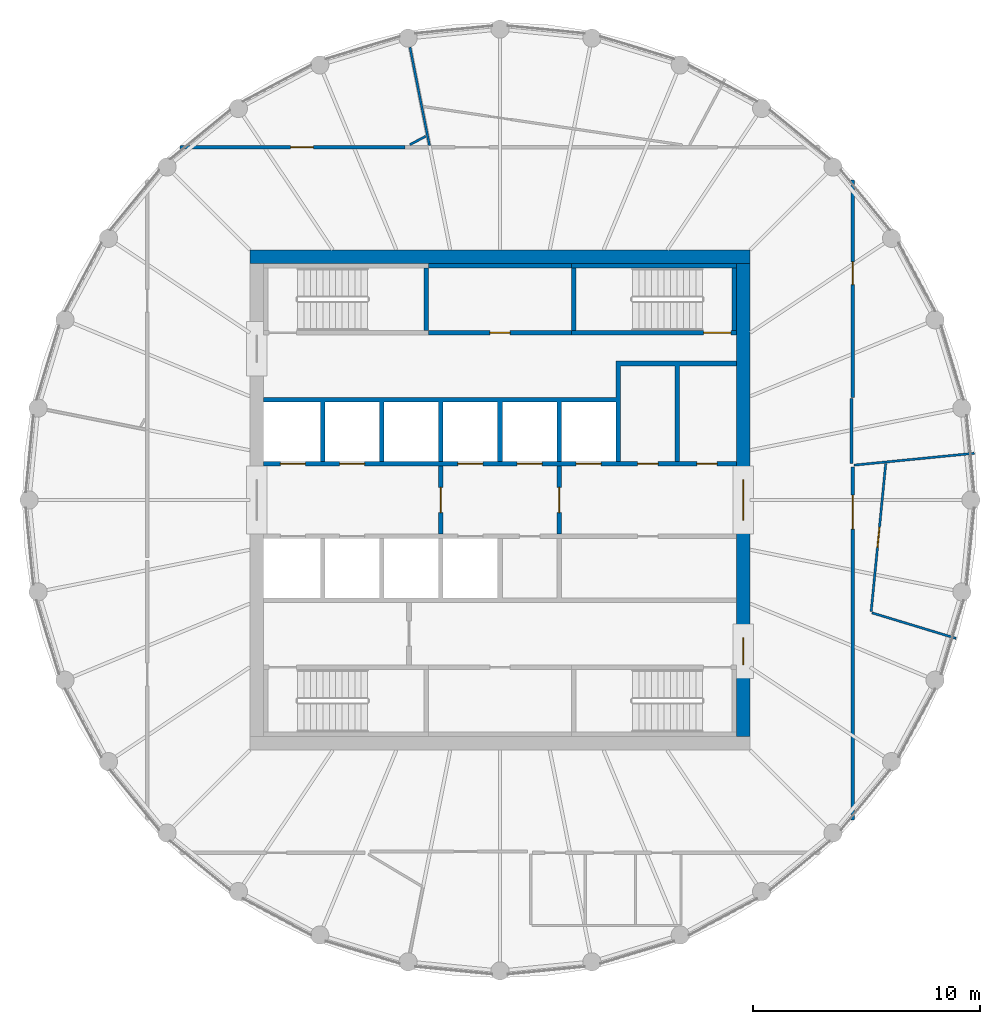
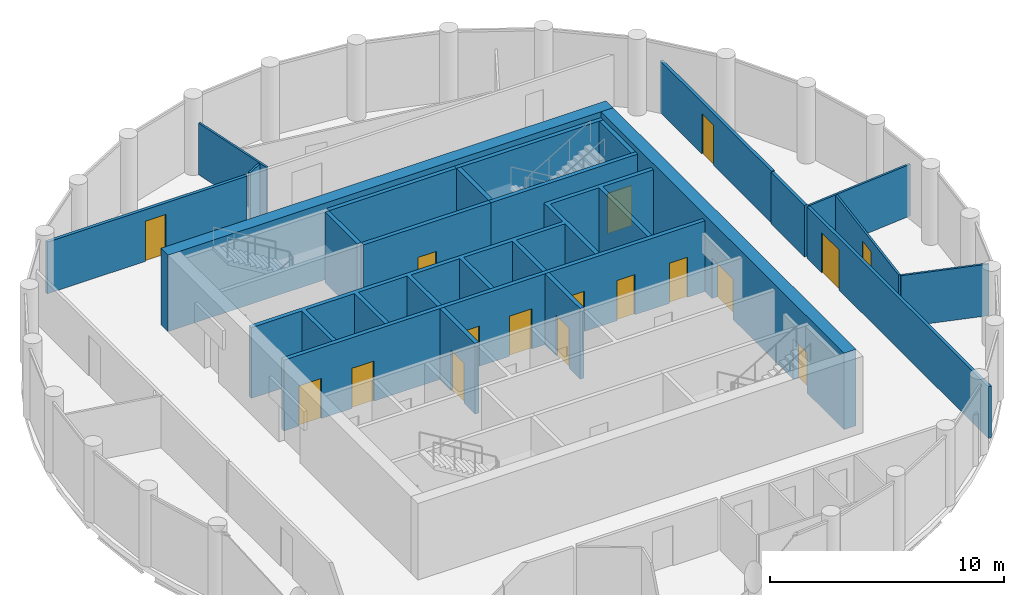
# One storey, part 5 of 7: 22 walls, 17 doors, 17 openings.
"""IFC4 building model written with IfcOpenShell, lengths in metres."""

import ifcopenshell
import ifcopenshell.guid

model = None  # the IFC model being written
_history = None  # IfcOwnerHistory: only IFC2X3 demands one
_inside = {}  # id of a spatial element -> (the spatial element, [elements in it])
_under = {}  # id of a project, library or spatial element -> (it, [spatial elements below it])
_declared = {}  # id of a project -> (the project, [libraries it declares])
_typed = {}  # id of a type object -> (the type object, [elements of that type])
_made_of = {}  # id of a material, layer set ... -> (it, [elements and type objects made of it])


def new_model(schema):
    """Start an empty IFC model of exactly this schema.

    Asked for "IFC4X3", IfcOpenShell would pick the latest addendum, in which some entities
    have other attributes; the version numbers below select the first issue.
    IFC2X3 requires an IfcOwnerHistory on every rooted entity: one is made here for all.
    """
    global model, _history
    if schema == "IFC4X3":
        model = ifcopenshell.file(schema_version=(4, 3, 0, 0))
    else:
        model = ifcopenshell.file(schema=schema)
    _inside.clear()
    _under.clear()
    _declared.clear()
    _typed.clear()
    _made_of.clear()
    _history = None
    if model.schema == "IFC2X3":
        org = make("IfcOrganization", Name="unknown")
        user = make(
            "IfcPersonAndOrganization",
            ThePerson=make("IfcPerson", FamilyName="unknown"),
            TheOrganization=org,
        )
        app = make(
            "IfcApplication",
            ApplicationDeveloper=org,
            Version="unknown",
            ApplicationFullName="unknown",
            ApplicationIdentifier="unknown",
        )
        _history = make(
            "IfcOwnerHistory",
            OwningUser=user,
            OwningApplication=app,
            ChangeAction="ADDED",
            CreationDate=0,
        )
    return model


def make(cls, **values):
    """One entity of the class cls with the attributes given. An attribute that is None is left unset."""
    return model.create_entity(
        cls, **{name: value for name, value in values.items() if value is not None}
    )


def rooted(cls, **values):
    """An entity with a GlobalId (a new one), such as an element, a storey or a relation."""
    return make(cls, GlobalId=ifcopenshell.guid.new(), OwnerHistory=_history, **values)


def si_unit(unit_type, name, prefix=None):
    """IfcSIUnit, for example si_unit("LENGTHUNIT", "METRE", prefix="MILLI")."""
    return make("IfcSIUnit", UnitType=unit_type, Prefix=prefix, Name=name)


def assignment(units):
    """IfcUnitAssignment: the units of a project."""
    return None if units is None else make("IfcUnitAssignment", Units=units)


def point(xyz):
    """IfcCartesianPoint."""
    return None if xyz is None else make("IfcCartesianPoint", Coordinates=xyz)


def direction(xyz):
    """IfcDirection."""
    return None if xyz is None else make("IfcDirection", DirectionRatios=xyz)


def frame(location, z_axis=None, x_axis=None):
    """IfcAxis2Placement3D, a coordinate frame: its origin and axes. An axis left out is left unset."""
    return make(
        "IfcAxis2Placement3D",
        Location=point(location),
        Axis=direction(z_axis),
        RefDirection=direction(x_axis),
    )


def frame_2d(location, x_axis=None):
    """IfcAxis2Placement2D, a coordinate frame in the plane: its origin and x axis."""
    return make(
        "IfcAxis2Placement2D", Location=point(location), RefDirection=direction(x_axis)
    )


def origin():
    """The frame at (0, 0, 0) with its axes left unset."""
    return frame((0.0, 0.0, 0.0))


def place(relative_to, where):
    """IfcLocalPlacement: puts the frame where relative to a parent placement (None: the world)."""
    return make(
        "IfcLocalPlacement", PlacementRelTo=relative_to, RelativePlacement=where
    )


def context(
    kind, dimensions, precision=None, world=None, true_north=None, identifier=None
):
    """IfcGeometricRepresentationContext, for example the 3D "Model" context."""
    return make(
        "IfcGeometricRepresentationContext",
        ContextIdentifier=identifier,
        ContextType=kind,
        CoordinateSpaceDimension=dimensions,
        Precision=precision,
        WorldCoordinateSystem=world,
        TrueNorth=true_north,
    )


def subcontext(parent, identifier, kind, view, scale=None):
    """IfcGeometricRepresentationSubContext, for example "Body" below "Model"."""
    return make(
        "IfcGeometricRepresentationSubContext",
        ContextIdentifier=identifier,
        ContextType=kind,
        ParentContext=parent,
        TargetScale=scale,
        TargetView=view,
    )


def project(units=None, contexts=None):
    """IfcProject with its units and contexts."""
    return rooted(
        "IfcProject",
        Name="project",
        RepresentationContexts=contexts,
        UnitsInContext=assignment(units),
    )


def spatial(cls, under=None, at=None, **own):
    """A site, building, storey or space (cls), placed at a placement, below another one or the project."""
    s = rooted(cls, ObjectPlacement=at, **own)
    if under is not None:
        _under.setdefault(under.id(), (under, []))[1].append(s)
    return s


def polyline(points):
    """IfcPolyline through the points."""
    return make("IfcPolyline", Points=[point(p) for p in points])


def profile(cls, at=None, kind="AREA", **sizes):
    """A parametric profile (cls). Its sizes go by their IFC names, for example OverallWidth=200.0."""
    return make(cls, ProfileType=kind, Position=at, **sizes)


def rectangle(**sizes):
    """IfcRectangleProfileDef."""
    return profile("IfcRectangleProfileDef", **sizes)


def outline(outer, holes=None, kind="AREA"):
    """IfcArbitraryClosedProfileDef: a profile drawn as a closed curve; with holes, ...WithVoids."""
    if holes is None:
        return make("IfcArbitraryClosedProfileDef", ProfileType=kind, OuterCurve=outer)
    return make(
        "IfcArbitraryProfileDefWithVoids",
        ProfileType=kind,
        OuterCurve=outer,
        InnerCurves=holes,
    )


def extrude(swept, where, along, depth):
    """IfcExtrudedAreaSolid: the profile swept, set in the frame where, extruded along a direction by depth."""
    return make(
        "IfcExtrudedAreaSolid",
        SweptArea=swept,
        Position=where,
        ExtrudedDirection=direction(along),
        Depth=depth,
    )


def shape(context_of_items, identifier, shape_type, items):
    """IfcShapeRepresentation: the items that make up one representation, for example the "Body"."""
    return make(
        "IfcShapeRepresentation",
        ContextOfItems=context_of_items,
        RepresentationIdentifier=identifier,
        RepresentationType=shape_type,
        Items=items,
    )


def material(Name=None, Category=None):
    """IfcMaterial."""
    return make("IfcMaterial", Name=Name, Category=Category)


def layer(
    of_material, thickness, ventilated=None, Name=None, Category=None, Priority=None
):
    """IfcMaterialLayer: one layer of a wall or slab, of a material (None: an air gap)."""
    return make(
        "IfcMaterialLayer",
        Material=of_material,
        LayerThickness=thickness,
        IsVentilated=ventilated,
        Name=Name,
        Category=Category,
        Priority=Priority,
    )


def layer_set(layers, Name=None):
    """IfcMaterialLayerSet."""
    return make("IfcMaterialLayerSet", MaterialLayers=layers, LayerSetName=Name)


def made_of(thing, what):
    """Note that an element or type object is made of a material, layer set ...; save() writes the relation."""
    if what is not None:
        _made_of.setdefault(what.id(), (what, []))[1].append(thing)
    return thing


def type_object(cls, material=None, **own):
    """A type object (cls), such as IfcWallType, which elements share."""
    return made_of(rooted(cls, **own), material)


def element(
    cls,
    number,
    at=None,
    inside=None,
    cuts=None,
    type_object=None,
    material=None,
    context=None,
    identifier="Body",
    shape_type=None,
    held_by="IfcProductDefinitionShape",
    body=None,
    shapes=None,
    **own,
):
    """One element of the class cls, such as IfcWall. Its Tag is "e" and its number.

    at: its placement. inside: the storey or other place that contains it. cuts: it is an
    opening in that element (IfcRelVoidsElement). A single representation is given by context,
    identifier, shape_type and body (its items); several are given by shapes. held_by: the class
    of the entity that holds the representations. save() writes the other relations.
    """
    e = rooted(cls, Tag="e%d" % number, ObjectPlacement=at, **own)
    if body is not None:
        shapes = [shape(context, identifier, shape_type, body)]
    if shapes is not None:
        e.Representation = make(held_by, Representations=shapes)
    if inside is not None:
        _inside.setdefault(inside.id(), (inside, []))[1].append(e)
    if cuts is not None:
        rooted(
            "IfcRelVoidsElement", RelatingBuildingElement=cuts, RelatedOpeningElement=e
        )
    if type_object is not None:
        _typed.setdefault(type_object.id(), (type_object, []))[1].append(e)
    return made_of(e, material)


def fill(opening, filler):
    """IfcRelFillsElement: the door or window that sits in an opening."""
    return rooted(
        "IfcRelFillsElement",
        RelatingOpeningElement=opening,
        RelatedBuildingElement=filler,
    )


def aggregate(whole, parts):
    """IfcRelAggregates: a whole, such as a stair, and the parts it consists of."""
    return rooted("IfcRelAggregates", RelatingObject=whole, RelatedObjects=parts)


def save(model, path):
    """Write the relations noted so far, then the file.

    IfcRelAggregates (storeys below a building ...), IfcRelContainedInSpatialStructure (elements
    in a storey), IfcRelDefinesByType, IfcRelAssociatesMaterial and IfcRelDeclares: one each for
    every whole, place, type object, material and project.
    """
    for whole, parts in _under.values():
        aggregate(whole, parts)
    for where, things in _inside.values():
        rooted(
            "IfcRelContainedInSpatialStructure",
            RelatedElements=things,
            RelatingStructure=where,
        )
    for kind, things in _typed.values():
        rooted("IfcRelDefinesByType", RelatedObjects=things, RelatingType=kind)
    for what, things in _made_of.values():
        rooted("IfcRelAssociatesMaterial", RelatedObjects=things, RelatingMaterial=what)
    for by, libraries in _declared.values():
        rooted("IfcRelDeclares", RelatingContext=by, RelatedDefinitions=libraries)
    model.write(path)


model = new_model("IFC4")

# Units and contexts
model_context = context("Model", 3, precision=1e-05, world=origin(), true_north=direction((0.0, 1.0)))
body_context = subcontext(model_context, "Body", "Model", "MODEL_VIEW")
ifc_project = project(units=[si_unit("LENGTHUNIT", "METRE"), si_unit("AREAUNIT", "SQUARE_METRE"), si_unit("VOLUMEUNIT", "CUBIC_METRE"), si_unit("PLANEANGLEUNIT", "RADIAN"), si_unit("MASSUNIT", "GRAM", prefix="KILO")], contexts=[model_context])

# Site, building, storey
site_placement = place(None, origin())
site = spatial("IfcSite", under=ifc_project, at=site_placement, CompositionType="ELEMENT")
building_placement = place(site_placement, origin())
building = spatial("IfcBuilding", under=site, at=building_placement, Name="Corvane Civic Tower", CompositionType="ELEMENT")
storey_placement = place(building_placement, frame((0.0, 0.0, 336.5)))
storey = spatial("IfcBuildingStorey", under=building, at=storey_placement, Name="L80", CompositionType="ELEMENT", Elevation=336.5)

# Wall
ifc_material_1 = material(Name="Concrete C40/50", Category="concrete")
ifc_layer_1 = layer(ifc_material_1, 0.60009765625)
ifc_layer_set_1 = layer_set([ifc_layer_1], Name="Concrete C40/50")
wall_type_1 = type_object("IfcWallType", Name="CORE WALL 600 C40/50", PredefinedType="SHEAR", material=ifc_layer_set_1)
wall_1_placement = place(storey_placement, frame((-11.0, 10.699951171875, 0.0), z_axis=(0.0, 0.0, 1.0), x_axis=(1.0, 0.0, 0.0)))
element("IfcWall", 1, at=wall_1_placement, inside=storey, type_object=wall_type_1, Name="W-L80-core-N", PredefinedType="SHEAR", context=body_context, shape_type="SweptSolid", body=[
    extrude(rectangle(XDim=22.0, YDim=0.60009765625, at=frame_2d((11.0, 0.0))), origin(), (0.0, 0.0, 1.0), 4.0),
])

# Wall, openings, doors
wall_2_placement = place(storey_placement, frame((10.699951171875, -10.39990234375, 0.0), z_axis=(0.0, 0.0, 1.0), x_axis=(0.0, 1.0, 0.0)))
wall_2 = element("IfcWall", 2, at=wall_2_placement, inside=storey, type_object=wall_type_1, Name="W-L80-core-E", PredefinedType="SHEAR", context=body_context, shape_type="SweptSolid", body=[
    extrude(rectangle(XDim=20.7998046875, YDim=0.60009765625, at=frame_2d((10.39990234375, 0.0))), origin(), (0.0, 0.0, 1.0), 4.0),
])
opening_1_placement = place(wall_2_placement, frame((9.5, 0.0, 0.0)))
opening_1 = element("IfcOpeningElement", 3, at=opening_1_placement, cuts=wall_2, Name="Opening L80.C15", PredefinedType="OPENING", context=body_context, shape_type="SweptSolid", body=[
    extrude(rectangle(XDim=1.800048828125, YDim=2.10009765625, at=frame_2d((0.89990234375, 1.050048828125))), frame((0.0, 0.31005859375, 0.0), z_axis=(0.0, -1.0, 0.0), x_axis=(1.0, 0.0, 0.0)), (0.0, 0.0, 1.0), 0.6201171875),
])
opening_2_placement = place(wall_2_placement, frame((3.14990234375, 0.0, 0.0)))
opening_2 = element("IfcOpeningElement", 4, at=opening_2_placement, cuts=wall_2, Name="Opening L80.C17", PredefinedType="OPENING", context=body_context, shape_type="SweptSolid", body=[
    extrude(rectangle(XDim=1.199951171875, YDim=2.10009765625, at=frame_2d((0.60009765625, 1.050048828125))), frame((0.0, 0.31005859375, 0.0), z_axis=(0.0, -1.0, 0.0), x_axis=(1.0, 0.0, 0.0)), (0.0, 0.0, 1.0), 0.6201171875),
])
ifc_material_2 = material(Name="Steel fire door leaf", Category="steel")
door_type_1 = type_object("IfcDoorType", Name="CR-DOOR-CORE-1800", OperationType="DOUBLE_DOOR_SINGLE_SWING", PredefinedType="DOOR", material=ifc_material_2)
door_1_placement = place(opening_1_placement, origin())
door_1 = element("IfcDoor", 5, at=door_1_placement, inside=storey, type_object=door_type_1, Name="L80 door", OperationType="DOUBLE_DOOR_SINGLE_SWING", OverallHeight=2.10009765625, OverallWidth=1.800048828125, PredefinedType="DOOR", context=body_context, shape_type="SweptSolid", body=[
    extrude(rectangle(XDim=1.800048828125, YDim=2.10009765625, at=frame_2d((0.89990234375, 1.050048828125))), frame((0.0, 0.02490234375, 0.0), z_axis=(0.0, -1.0, 0.0), x_axis=(1.0, 0.0, 0.0)), (0.0, 0.0, 1.0), 0.050048828125),
])
fill(opening_1, door_1)
door_2_placement = place(opening_2_placement, origin())
door_2 = element("IfcDoor", 6, at=door_2_placement, inside=storey, type_object=door_type_1, Name="L80 door", OperationType="DOUBLE_DOOR_SINGLE_SWING", OverallHeight=2.10009765625, OverallWidth=1.199951171875, PredefinedType="DOOR", context=body_context, shape_type="SweptSolid", body=[
    extrude(rectangle(XDim=1.199951171875, YDim=2.10009765625, at=frame_2d((0.60009765625, 1.050048828125))), frame((0.0, 0.02490234375, 0.0), z_axis=(0.0, -1.0, 0.0), x_axis=(1.0, 0.0, 0.0)), (0.0, 0.0, 1.0), 0.050048828125),
])
fill(opening_2, door_2)

ifc_material_3 = material(Name="Concrete C30/37", Category="concrete")
ifc_layer_2 = layer(ifc_material_3, 0.199951171875)
ifc_layer_set_2 = layer_set([ifc_layer_2], Name="Concrete C30/37")
wall_type_2 = type_object("IfcWallType", Name="CR-WALL-200", PredefinedType="PARTITIONING", material=ifc_layer_set_2)
wall_3_placement = place(storey_placement, frame((-10.39990234375, 1.60009765625, 0.0), z_axis=(0.0, 0.0, 1.0), x_axis=(1.0, 0.0, 0.0)))
wall_3 = element("IfcWall", 7, at=wall_3_placement, inside=storey, type_object=wall_type_2, Name="L80 lift shaft wall", PredefinedType="PARTITIONING", context=body_context, shape_type="SweptSolid", body=[
    extrude(rectangle(XDim=20.7998046875, YDim=0.199951171875, at=frame_2d((10.39990234375, 0.0))), origin(), (0.0, 0.0, 1.0), 3.699951171875),
])
opening_3_placement = place(wall_3_placement, frame((0.75, 0.0, 0.0)))
opening_3 = element("IfcOpeningElement", 8, at=opening_3_placement, cuts=wall_3, Name="Opening LD", PredefinedType="OPENING", context=body_context, shape_type="SweptSolid", body=[
    extrude(rectangle(XDim=1.10009765625, YDim=2.10009765625, at=frame_2d((0.550048828125, 1.050048828125))), frame((0.0, 0.10986328125, 0.0), z_axis=(0.0, -1.0, 0.0), x_axis=(1.0, 0.0, 0.0)), (0.0, 0.0, 1.0), 0.219970703125),
])
opening_4_placement = place(wall_3_placement, frame((3.35009765625, 0.0, 0.0)))
opening_4 = element("IfcOpeningElement", 9, at=opening_4_placement, cuts=wall_3, Name="Opening LD", PredefinedType="OPENING", context=body_context, shape_type="SweptSolid", body=[
    extrude(rectangle(XDim=1.10009765625, YDim=2.10009765625, at=frame_2d((0.550048828125, 1.050048828125))), frame((0.0, 0.10986328125, 0.0), z_axis=(0.0, -1.0, 0.0), x_axis=(1.0, 0.0, 0.0)), (0.0, 0.0, 1.0), 0.219970703125),
])
opening_5_placement = place(wall_3_placement, frame((8.550048828125, 0.0, 0.0)))
opening_5 = element("IfcOpeningElement", 10, at=opening_5_placement, cuts=wall_3, Name="Opening LD", PredefinedType="OPENING", context=body_context, shape_type="SweptSolid", body=[
    extrude(rectangle(XDim=1.10009765625, YDim=2.10009765625, at=frame_2d((0.550048828125, 1.050048828125))), frame((0.0, 0.10986328125, 0.0), z_axis=(0.0, -1.0, 0.0), x_axis=(1.0, 0.0, 0.0)), (0.0, 0.0, 1.0), 0.219970703125),
])
opening_6_placement = place(wall_3_placement, frame((11.14990234375, 0.0, 0.0)))
opening_6 = element("IfcOpeningElement", 11, at=opening_6_placement, cuts=wall_3, Name="Opening LD", PredefinedType="OPENING", context=body_context, shape_type="SweptSolid", body=[
    extrude(rectangle(XDim=1.10009765625, YDim=2.10009765625, at=frame_2d((0.550048828125, 1.050048828125))), frame((0.0, 0.10986328125, 0.0), z_axis=(0.0, -1.0, 0.0), x_axis=(1.0, 0.0, 0.0)), (0.0, 0.0, 1.0), 0.219970703125),
])
opening_7_placement = place(wall_3_placement, frame((13.75, 0.0, 0.0)))
opening_7 = element("IfcOpeningElement", 12, at=opening_7_placement, cuts=wall_3, Name="Opening LD", PredefinedType="OPENING", context=body_context, shape_type="SweptSolid", body=[
    extrude(rectangle(XDim=1.10009765625, YDim=2.10009765625, at=frame_2d((0.550048828125, 1.050048828125))), frame((0.0, 0.10986328125, 0.0), z_axis=(0.0, -1.0, 0.0), x_axis=(1.0, 0.0, 0.0)), (0.0, 0.0, 1.0), 0.219970703125),
])
opening_8_placement = place(wall_3_placement, frame((16.449951171875, 0.0, 0.0)))
opening_8 = element("IfcOpeningElement", 13, at=opening_8_placement, cuts=wall_3, Name="Opening L80.C01", PredefinedType="OPENING", context=body_context, shape_type="SweptSolid", body=[
    extrude(rectangle(XDim=0.89990234375, YDim=2.10009765625, at=frame_2d((0.449951171875, 1.050048828125))), frame((0.0, 0.10986328125, 0.0), z_axis=(0.0, -1.0, 0.0), x_axis=(1.0, 0.0, 0.0)), (0.0, 0.0, 1.0), 0.219970703125),
])
opening_9_placement = place(wall_3_placement, frame((19.050048828125, 0.0, 0.0)))
opening_9 = element("IfcOpeningElement", 14, at=opening_9_placement, cuts=wall_3, Name="Opening L80.C02", PredefinedType="OPENING", context=body_context, shape_type="SweptSolid", body=[
    extrude(rectangle(XDim=0.89990234375, YDim=2.10009765625, at=frame_2d((0.449951171875, 1.050048828125))), frame((0.0, 0.10986328125, 0.0), z_axis=(0.0, -1.0, 0.0), x_axis=(1.0, 0.0, 0.0)), (0.0, 0.0, 1.0), 0.219970703125),
])
ifc_material_4 = material(Name="Steel fire door leaf", Category="steel")
door_type_2 = type_object("IfcDoorType", Name="CR-DOOR-900", OperationType="SINGLE_SWING_LEFT", PredefinedType="DOOR", material=ifc_material_4)
door_3_placement = place(opening_8_placement, origin())
door_3 = element("IfcDoor", 15, at=door_3_placement, inside=storey, type_object=door_type_2, Name="L80 door", OperationType="SINGLE_SWING_LEFT", OverallHeight=2.10009765625, OverallWidth=0.89990234375, PredefinedType="DOOR", context=body_context, shape_type="SweptSolid", body=[
    extrude(rectangle(XDim=0.89990234375, YDim=2.10009765625, at=frame_2d((0.449951171875, 1.050048828125))), frame((0.0, 0.02490234375, 0.0), z_axis=(0.0, -1.0, 0.0), x_axis=(1.0, 0.0, 0.0)), (0.0, 0.0, 1.0), 0.050048828125),
])
fill(opening_8, door_3)
door_4_placement = place(opening_9_placement, origin())
door_4 = element("IfcDoor", 16, at=door_4_placement, inside=storey, type_object=door_type_2, Name="L80 door", OperationType="SINGLE_SWING_LEFT", OverallHeight=2.10009765625, OverallWidth=0.89990234375, PredefinedType="DOOR", context=body_context, shape_type="SweptSolid", body=[
    extrude(rectangle(XDim=0.89990234375, YDim=2.10009765625, at=frame_2d((0.449951171875, 1.050048828125))), frame((0.0, 0.02490234375, 0.0), z_axis=(0.0, -1.0, 0.0), x_axis=(1.0, 0.0, 0.0)), (0.0, 0.0, 1.0), 0.050048828125),
])
fill(opening_9, door_4)
ifc_material_5 = material(Name="Stainless steel 316 door leaves", Category="steel")
door_type_3 = type_object("IfcDoorType", Name="LD", OperationType="DOUBLE_DOOR_SLIDING", PredefinedType="DOOR", material=ifc_material_5)
door_5_placement = place(opening_3_placement, origin())
door_5 = element("IfcDoor", 17, at=door_5_placement, inside=storey, type_object=door_type_3, Name="L80 landing door", OperationType="DOUBLE_DOOR_SLIDING", OverallHeight=2.10009765625, OverallWidth=1.10009765625, PredefinedType="DOOR", context=body_context, shape_type="SweptSolid", body=[
    extrude(rectangle(XDim=1.10009765625, YDim=2.10009765625, at=frame_2d((0.550048828125, 1.050048828125))), frame((0.0, 0.02490234375, 0.0), z_axis=(0.0, -1.0, 0.0), x_axis=(1.0, 0.0, 0.0)), (0.0, 0.0, 1.0), 0.050048828125),
])
fill(opening_3, door_5)
door_6_placement = place(opening_4_placement, origin())
door_6 = element("IfcDoor", 18, at=door_6_placement, inside=storey, type_object=door_type_3, Name="L80 landing door", OperationType="DOUBLE_DOOR_SLIDING", OverallHeight=2.10009765625, OverallWidth=1.10009765625, PredefinedType="DOOR", context=body_context, shape_type="SweptSolid", body=[
    extrude(rectangle(XDim=1.10009765625, YDim=2.10009765625, at=frame_2d((0.550048828125, 1.050048828125))), frame((0.0, 0.02490234375, 0.0), z_axis=(0.0, -1.0, 0.0), x_axis=(1.0, 0.0, 0.0)), (0.0, 0.0, 1.0), 0.050048828125),
])
fill(opening_4, door_6)
door_7_placement = place(opening_5_placement, origin())
door_7 = element("IfcDoor", 19, at=door_7_placement, inside=storey, type_object=door_type_3, Name="L80 landing door", OperationType="DOUBLE_DOOR_SLIDING", OverallHeight=2.10009765625, OverallWidth=1.10009765625, PredefinedType="DOOR", context=body_context, shape_type="SweptSolid", body=[
    extrude(rectangle(XDim=1.10009765625, YDim=2.10009765625, at=frame_2d((0.550048828125, 1.050048828125))), frame((0.0, 0.02490234375, 0.0), z_axis=(0.0, -1.0, 0.0), x_axis=(1.0, 0.0, 0.0)), (0.0, 0.0, 1.0), 0.050048828125),
])
fill(opening_5, door_7)
door_8_placement = place(opening_6_placement, origin())
door_8 = element("IfcDoor", 20, at=door_8_placement, inside=storey, type_object=door_type_3, Name="L80 landing door", OperationType="DOUBLE_DOOR_SLIDING", OverallHeight=2.10009765625, OverallWidth=1.10009765625, PredefinedType="DOOR", context=body_context, shape_type="SweptSolid", body=[
    extrude(rectangle(XDim=1.10009765625, YDim=2.10009765625, at=frame_2d((0.550048828125, 1.050048828125))), frame((0.0, 0.02490234375, 0.0), z_axis=(0.0, -1.0, 0.0), x_axis=(1.0, 0.0, 0.0)), (0.0, 0.0, 1.0), 0.050048828125),
])
fill(opening_6, door_8)
door_9_placement = place(opening_7_placement, origin())
door_9 = element("IfcDoor", 21, at=door_9_placement, inside=storey, type_object=door_type_3, Name="L80 landing door", OperationType="DOUBLE_DOOR_SLIDING", OverallHeight=2.10009765625, OverallWidth=1.10009765625, PredefinedType="DOOR", context=body_context, shape_type="SweptSolid", body=[
    extrude(rectangle(XDim=1.10009765625, YDim=2.10009765625, at=frame_2d((0.550048828125, 1.050048828125))), frame((0.0, 0.02490234375, 0.0), z_axis=(0.0, -1.0, 0.0), x_axis=(1.0, 0.0, 0.0)), (0.0, 0.0, 1.0), 0.050048828125),
])
fill(opening_7, door_9)

# Wall, opening, door
wall_4_placement = place(storey_placement, frame((-3.14990234375, 7.35009765625, 0.0), z_axis=(0.0, 0.0, 1.0), x_axis=(1.0, 0.0, 0.0)))
wall_4 = element("IfcWall", 22, at=wall_4_placement, inside=storey, type_object=wall_type_2, Name="L80 core partition wall", PredefinedType="PARTITIONING", context=body_context, shape_type="SweptSolid", body=[
    extrude(rectangle(XDim=6.2998046875, YDim=0.199951171875, at=frame_2d((3.14990234375, 0.0))), origin(), (0.0, 0.0, 1.0), 3.699951171875),
])
opening_10_placement = place(wall_4_placement, frame((2.699951171875, 0.0, 0.0)))
opening_10 = element("IfcOpeningElement", 23, at=opening_10_placement, cuts=wall_4, Name="Opening L80.C05", PredefinedType="OPENING", context=body_context, shape_type="SweptSolid", body=[
    extrude(rectangle(XDim=0.89990234375, YDim=2.10009765625, at=frame_2d((0.449951171875, 1.050048828125))), frame((0.0, 0.10986328125, 0.0), z_axis=(0.0, -1.0, 0.0), x_axis=(1.0, 0.0, 0.0)), (0.0, 0.0, 1.0), 0.219970703125),
])
door_10_placement = place(opening_10_placement, origin())
door_10 = element("IfcDoor", 24, at=door_10_placement, inside=storey, type_object=door_type_2, Name="L80 door", OperationType="SINGLE_SWING_LEFT", OverallHeight=2.10009765625, OverallWidth=0.89990234375, PredefinedType="DOOR", context=body_context, shape_type="SweptSolid", body=[
    extrude(rectangle(XDim=0.89990234375, YDim=2.10009765625, at=frame_2d((0.449951171875, 1.050048828125))), frame((0.0, 0.02490234375, 0.0), z_axis=(0.0, -1.0, 0.0), x_axis=(1.0, 0.0, 0.0)), (0.0, 0.0, 1.0), 0.050048828125),
])
fill(opening_10, door_10)

wall_5_placement = place(storey_placement, frame((-2.60009765625, -1.5, 0.0), z_axis=(0.0, 0.0, 1.0), x_axis=(0.0, 1.0, 0.0)))
wall_5 = element("IfcWall", 25, at=wall_5_placement, inside=storey, type_object=wall_type_2, Name="L80 firefighting lobby wall", PredefinedType="PARTITIONING", context=body_context, shape_type="SweptSolid", body=[
    extrude(rectangle(XDim=3.0, YDim=0.199951171875, at=frame_2d((1.5, 0.0))), origin(), (0.0, 0.0, 1.0), 3.699951171875),
])
opening_11_placement = place(wall_5_placement, frame((0.949951171875, 0.0, 0.0)))
opening_11 = element("IfcOpeningElement", 26, at=opening_11_placement, cuts=wall_5, Name="Opening L80.C11", PredefinedType="OPENING", context=body_context, shape_type="SweptSolid", body=[
    extrude(rectangle(XDim=1.10009765625, YDim=2.10009765625, at=frame_2d((0.550048828125, 1.050048828125))), frame((0.0, 0.10986328125, 0.0), z_axis=(0.0, -1.0, 0.0), x_axis=(1.0, 0.0, 0.0)), (0.0, 0.0, 1.0), 0.219970703125),
])
ifc_material_6 = material(Name="Steel fire door leaf", Category="steel")
door_type_4 = type_object("IfcDoorType", Name="CR-DOOR-FFL-1100", OperationType="SINGLE_SWING_LEFT", PredefinedType="DOOR", material=ifc_material_6)
door_11_placement = place(opening_11_placement, origin())
door_11 = element("IfcDoor", 27, at=door_11_placement, inside=storey, type_object=door_type_4, Name="L80 lobby door", OperationType="SINGLE_SWING_LEFT", OverallHeight=2.10009765625, OverallWidth=1.10009765625, PredefinedType="DOOR", context=body_context, shape_type="SweptSolid", body=[
    extrude(rectangle(XDim=1.10009765625, YDim=2.10009765625, at=frame_2d((0.550048828125, 1.050048828125))), frame((0.0, 0.02490234375, 0.0), z_axis=(0.0, -1.0, 0.0), x_axis=(1.0, 0.0, 0.0)), (0.0, 0.0, 1.0), 0.050048828125),
])
fill(opening_11, door_11)

wall_6_placement = place(storey_placement, frame((2.60009765625, -1.5, 0.0), z_axis=(0.0, 0.0, 1.0), x_axis=(0.0, 1.0, 0.0)))
wall_6 = element("IfcWall", 28, at=wall_6_placement, inside=storey, type_object=wall_type_2, Name="L80 firefighting lobby wall", PredefinedType="PARTITIONING", context=body_context, shape_type="SweptSolid", body=[
    extrude(rectangle(XDim=3.0, YDim=0.199951171875, at=frame_2d((1.5, 0.0))), origin(), (0.0, 0.0, 1.0), 3.699951171875),
])
opening_12_placement = place(wall_6_placement, frame((0.949951171875, 0.0, 0.0)))
opening_12 = element("IfcOpeningElement", 29, at=opening_12_placement, cuts=wall_6, Name="Opening L80.C12", PredefinedType="OPENING", context=body_context, shape_type="SweptSolid", body=[
    extrude(rectangle(XDim=1.10009765625, YDim=2.10009765625, at=frame_2d((0.550048828125, 1.050048828125))), frame((0.0, 0.10986328125, 0.0), z_axis=(0.0, -1.0, 0.0), x_axis=(1.0, 0.0, 0.0)), (0.0, 0.0, 1.0), 0.219970703125),
])
door_12_placement = place(opening_12_placement, origin())
door_12 = element("IfcDoor", 30, at=door_12_placement, inside=storey, type_object=door_type_4, Name="L80 lobby door", OperationType="SINGLE_SWING_LEFT", OverallHeight=2.10009765625, OverallWidth=1.10009765625, PredefinedType="DOOR", context=body_context, shape_type="SweptSolid", body=[
    extrude(rectangle(XDim=1.10009765625, YDim=2.10009765625, at=frame_2d((0.550048828125, 1.050048828125))), frame((0.0, 0.02490234375, 0.0), z_axis=(0.0, -1.0, 0.0), x_axis=(1.0, 0.0, 0.0)), (0.0, 0.0, 1.0), 0.050048828125),
])
fill(opening_12, door_12)

# Walls
wall_7_placement = place(storey_placement, origin())
element("IfcWall", 31, at=wall_7_placement, inside=storey, type_object=wall_type_2, Name="L80 core partition wall", PredefinedType="PARTITIONING", context=body_context, shape_type="SweptSolid", body=[
    extrude(outline(polyline([(3.14990234375, 10.199951171875), (-3.14990234375, 10.199951171875), (-3.14990234375, 10.39990234375), (3.14990234375, 10.39990234375), (3.14990234375, 10.199951171875)])), origin(), (0.0, 0.0, 1.0), 3.699951171875),
])
wall_8_placement = place(storey_placement, origin())
element("IfcWall", 32, at=wall_8_placement, inside=storey, type_object=wall_type_2, Name="L80 core partition wall", PredefinedType="PARTITIONING", context=body_context, shape_type="SweptSolid", body=[
    extrude(outline(polyline([(-10.39990234375, 4.300048828125), (-10.39990234375, 4.5), (5.10009765625, 4.5), (5.10009765625, 6.10009765625), (10.39990234375, 6.10009765625), (10.39990234375, 5.89990234375), (7.89990234375, 5.89990234375), (7.89990234375, 1.699951171875), (7.699951171875, 1.699951171875), (7.699951171875, 5.89990234375), (5.300048828125, 5.89990234375), (5.300048828125, 1.699951171875), (5.10009765625, 1.699951171875), (5.10009765625, 4.300048828125), (2.699951171875, 4.300048828125), (2.699951171875, 1.699951171875), (2.5, 1.699951171875), (2.5, 4.300048828125), (0.10009765625, 4.300048828125), (0.10009765625, 1.699951171875), (-0.10009765625, 1.699951171875), (-0.10009765625, 4.300048828125), (-2.5, 4.300048828125), (-2.5, 1.699951171875), (-2.699951171875, 1.699951171875), (-2.699951171875, 4.300048828125), (-5.10009765625, 4.300048828125), (-5.10009765625, 1.699951171875), (-5.300048828125, 1.699951171875), (-5.300048828125, 4.300048828125), (-7.699951171875, 4.300048828125), (-7.699951171875, 1.699951171875), (-7.89990234375, 1.699951171875), (-7.89990234375, 4.300048828125), (-10.39990234375, 4.300048828125)])), origin(), (0.0, 0.0, 1.0), 3.699951171875),
])
ifc_material_7 = material(Name="Plasterboard")
ifc_layer_3 = layer(ifc_material_7, 0.10009765625)
ifc_layer_set_3 = layer_set([ifc_layer_3], Name="Plasterboard")
wall_type_3 = type_object("IfcWallType", Name="Partition 100 plasterboard on studs", PredefinedType="PARTITIONING", material=ifc_layer_set_3)
wall_9_placement = place(storey_placement, frame((16.350830078125, -4.9599609375, 0.0), z_axis=(0.0, 0.0, 1.0), x_axis=(0.956938267548, -0.290291495055, 0.0)))
element("IfcWall", 33, at=wall_9_placement, inside=storey, type_object=wall_type_3, Name="Partition L80.013", PredefinedType="PARTITIONING", context=body_context, shape_type="SweptSolid", body=[
    extrude(rectangle(XDim=3.863525390625, YDim=0.10009765625, at=frame_2d((1.931640625, 0.0))), origin(), (0.0, 0.0, 1.0), 2.699951171875),
])

# Wall, opening, door
wall_10_placement = place(storey_placement, frame((16.3154296875, -4.9072265625, 0.0), z_axis=(0.0, 0.0, 1.0), x_axis=(0.098045643262, 0.995181918966, 0.0)))
wall_10 = element("IfcWall", 34, at=wall_10_placement, inside=storey, type_object=wall_type_3, Name="Partition L80.014", PredefinedType="PARTITIONING", context=body_context, shape_type="SweptSolid", body=[
    extrude(rectangle(XDim=6.548828125, YDim=0.10009765625, at=frame_2d((3.2744140625, 0.0))), origin(), (0.0, 0.0, 1.0), 2.699951171875),
])
opening_13_placement = place(wall_10_placement, frame((2.83447265625, 0.0, 0.0)))
opening_13 = element("IfcOpeningElement", 35, at=opening_13_placement, cuts=wall_10, Name="Opening L80.009", PredefinedType="OPENING", context=body_context, shape_type="SweptSolid", body=[
    extrude(rectangle(XDim=0.89990234375, YDim=2.10009765625, at=frame_2d((0.449951171875, 1.050048828125))), frame((0.0, 0.06005859375, 0.0), z_axis=(0.0, -1.0, 0.0), x_axis=(1.0, 0.0, 0.0)), (0.0, 0.0, 1.0), 0.1201171875),
])
ifc_material_8 = material(Name="Timber", Category="wood")
door_type_5 = type_object("IfcDoorType", Name="Single door 900", OperationType="NOTDEFINED", PredefinedType="DOOR", material=ifc_material_8)
door_13_placement = place(opening_13_placement, frame((0.89990234375, 0.0, 0.0), z_axis=(0.0, 0.0, 1.0), x_axis=(-1.0, 0.0, 0.0)))
door_13 = element("IfcDoor", 36, at=door_13_placement, inside=storey, type_object=door_type_5, Name="Door L80.009", OperationType="SINGLE_SWING_LEFT", OverallHeight=2.10009765625, OverallWidth=0.89990234375, PredefinedType="DOOR", context=body_context, shape_type="SweptSolid", body=[
    extrude(rectangle(XDim=0.89990234375, YDim=2.10009765625, at=frame_2d((0.449951171875, 1.050048828125))), frame((0.0, 0.02490234375, 0.0), z_axis=(0.0, -1.0, 0.0), x_axis=(1.0, 0.0, 0.0)), (0.0, 0.0, 1.0), 0.050048828125),
])
fill(opening_13, door_13)

# Walls
wall_11_placement = place(storey_placement, frame((15.554931640625, 1.531982421875, 0.0), z_axis=(0.0, 0.0, 1.0), x_axis=(0.995184209961, 0.098022386446, 0.0)))
element("IfcWall", 37, at=wall_11_placement, inside=storey, type_object=wall_type_3, Name="Partition L80.016", PredefinedType="PARTITIONING", context=body_context, shape_type="SweptSolid", body=[
    extrude(rectangle(XDim=5.320068359375, YDim=0.10009765625, at=frame_2d((2.66015625, 0.0))), origin(), (0.0, 0.0, 1.0), 2.699951171875),
])
wall_12_placement = place(storey_placement, frame((-3.95849609375, 19.900146484375, 0.0), z_axis=(0.0, 0.0, 1.0), x_axis=(0.195091656081, -0.98078501504, 0.0)))
element("IfcWall", 38, at=wall_12_placement, inside=storey, type_object=wall_type_3, Name="Partition L80.024", PredefinedType="PARTITIONING", context=body_context, shape_type="SweptSolid", body=[
    extrude(rectangle(XDim=4.39990234375, YDim=0.10009765625, at=frame_2d((2.199951171875, 0.0))), origin(), (0.0, 0.0, 1.0), 2.699951171875),
])
wall_13_placement = place(storey_placement, frame((-3.96630859375, 15.614990234375, 0.0), z_axis=(0.0, 0.0, 1.0), x_axis=(0.881949437512, 0.471344024756, 0.0)))
element("IfcWall", 39, at=wall_13_placement, inside=storey, type_object=wall_type_3, Name="Partition L80.026", PredefinedType="PARTITIONING", context=body_context, shape_type="SweptSolid", body=[
    extrude(rectangle(XDim=0.787841796875, YDim=0.10009765625, at=frame_2d((0.39404296875, 0.0))), origin(), (0.0, 0.0, 1.0), 2.699951171875),
])

# Wall, opening, door
ifc_material_9 = material(Name="Concrete C50/60", Category="concrete")
ifc_layer_4 = layer(ifc_material_9, 0.199951171875)
ifc_layer_set_4 = layer_set([ifc_layer_4], Name="Concrete C50/60")
wall_type_4 = type_object("IfcWallType", Name="ST-WALL-200", PredefinedType="SHEAR", material=ifc_layer_set_4)
wall_14_placement = place(storey_placement, frame((3.14990234375, 7.35009765625, 0.0), z_axis=(0.0, 0.0, 1.0), x_axis=(1.0, 0.0, 0.0)))
wall_14 = element("IfcWall", 40, at=wall_14_placement, inside=storey, type_object=wall_type_4, Name="L80 stair enclosure wall", PredefinedType="SHEAR", context=body_context, shape_type="SweptSolid", body=[
    extrude(rectangle(XDim=7.25, YDim=0.199951171875, at=frame_2d((3.625, 0.0))), origin(), (0.0, 0.0, 1.0), 3.699951171875),
])
opening_14_placement = place(wall_14_placement, frame((5.800048828125, 0.0, 0.0)))
opening_14 = element("IfcOpeningElement", 41, at=opening_14_placement, cuts=wall_14, Name="Opening L80.C07", PredefinedType="OPENING", context=body_context, shape_type="SweptSolid", body=[
    extrude(rectangle(XDim=1.199951171875, YDim=2.10009765625, at=frame_2d((0.60009765625, 1.050048828125))), frame((0.0, 0.10986328125, 0.0), z_axis=(0.0, -1.0, 0.0), x_axis=(1.0, 0.0, 0.0)), (0.0, 0.0, 1.0), 0.219970703125),
])
ifc_material_10 = material(Name="Steel fire door leaf", Category="steel")
door_type_6 = type_object("IfcDoorType", Name="ST-DOOR-1200", OperationType="SINGLE_SWING_RIGHT", PredefinedType="DOOR", material=ifc_material_10)
door_14_placement = place(opening_14_placement, origin())
door_14 = element("IfcDoor", 42, at=door_14_placement, inside=storey, type_object=door_type_6, Name="L80 stair door", OperationType="SINGLE_SWING_RIGHT", OverallHeight=2.10009765625, OverallWidth=1.199951171875, PredefinedType="DOOR", context=body_context, shape_type="SweptSolid", body=[
    extrude(rectangle(XDim=1.199951171875, YDim=2.10009765625, at=frame_2d((0.60009765625, 1.050048828125))), frame((0.0, 0.02490234375, 0.0), z_axis=(0.0, -1.0, 0.0), x_axis=(1.0, 0.0, 0.0)), (0.0, 0.0, 1.0), 0.050048828125),
])
fill(opening_14, door_14)

# Walls
wall_15_placement = place(storey_placement, origin())
element("IfcWall", 43, at=wall_15_placement, inside=storey, type_object=wall_type_4, Name="L80 stair enclosure wall", PredefinedType="SHEAR", context=body_context, shape_type="SweptSolid", body=[
    extrude(outline(polyline([(10.39990234375, 10.199951171875), (3.14990234375, 10.199951171875), (3.14990234375, 10.39990234375), (10.39990234375, 10.39990234375), (10.39990234375, 10.199951171875)])), origin(), (0.0, 0.0, 1.0), 3.699951171875),
])
wall_16_placement = place(storey_placement, origin())
element("IfcWall", 44, at=wall_16_placement, inside=storey, type_object=wall_type_4, Name="L80 stair enclosure wall", PredefinedType="SHEAR", context=body_context, shape_type="SweptSolid", body=[
    extrude(outline(polyline([(-3.14990234375, 7.449951171875), (-3.35009765625, 7.449951171875), (-3.35009765625, 10.199951171875), (-3.14990234375, 10.199951171875), (-3.14990234375, 7.449951171875)])), origin(), (0.0, 0.0, 1.0), 3.699951171875),
])
wall_17_placement = place(storey_placement, origin())
element("IfcWall", 45, at=wall_17_placement, inside=storey, type_object=wall_type_4, Name="L80 stair enclosure wall", PredefinedType="SHEAR", context=body_context, shape_type="SweptSolid", body=[
    extrude(outline(polyline([(3.35009765625, 7.449951171875), (3.14990234375, 7.449951171875), (3.14990234375, 10.199951171875), (3.35009765625, 10.199951171875), (3.35009765625, 7.449951171875)])), origin(), (0.0, 0.0, 1.0), 3.699951171875),
])
wall_18_placement = place(storey_placement, origin())
element("IfcWall", 46, at=wall_18_placement, inside=storey, type_object=wall_type_4, Name="L80 stair enclosure wall", PredefinedType="SHEAR", context=body_context, shape_type="SweptSolid", body=[
    extrude(outline(polyline([(10.39990234375, 7.449951171875), (10.199951171875, 7.449951171875), (10.199951171875, 10.199951171875), (10.39990234375, 10.199951171875), (10.39990234375, 7.449951171875)])), origin(), (0.0, 0.0, 1.0), 3.699951171875),
])

# Wall, opening, door
ifc_material_11 = material(Name="Plasterboard")
ifc_layer_5 = layer(ifc_material_11, 0.14990234375)
ifc_layer_set_5 = layer_set([ifc_layer_5], Name="Plasterboard")
wall_type_5 = type_object("IfcWallType", Name="Tenancy wall 150 EI 60", PredefinedType="PARTITIONING", material=ifc_layer_set_5)
wall_19_placement = place(storey_placement, frame((15.5, -14.05712890625, 0.0), z_axis=(0.0, 0.0, 1.0), x_axis=(0.0, 1.0, 0.0)))
wall_19 = element("IfcWall", 47, at=wall_19_placement, inside=storey, type_object=wall_type_5, Name="Partition L80.012", PredefinedType="PARTITIONING", context=body_context, shape_type="SweptSolid", body=[
    extrude(rectangle(XDim=15.515625, YDim=0.14990234375, at=frame_2d((7.7578125, 0.0))), origin(), (0.0, 0.0, 1.0), 2.699951171875),
])
opening_15_placement = place(wall_19_placement, frame((12.771484375, 0.0, 0.0)))
opening_15 = element("IfcOpeningElement", 48, at=opening_15_placement, cuts=wall_19, Name="Opening L80.010", PredefinedType="OPENING", context=body_context, shape_type="SweptSolid", body=[
    extrude(rectangle(XDim=1.5, YDim=2.10009765625, at=frame_2d((0.75, 1.050048828125))), frame((0.0, 0.0849609375, 0.0), z_axis=(0.0, -1.0, 0.0), x_axis=(1.0, 0.0, 0.0)), (0.0, 0.0, 1.0), 0.169921875),
])
ifc_material_12 = material(Name="Steel and timber", Category="steel")
door_type_7 = type_object("IfcDoorType", Name="Fire door FD60 double 1500", OperationType="NOTDEFINED", PredefinedType="DOOR", material=ifc_material_12)
door_15_placement = place(opening_15_placement, frame((1.5, 0.0, 0.0), z_axis=(0.0, 0.0, 1.0), x_axis=(-1.0, 0.0, 0.0)))
door_15 = element("IfcDoor", 49, at=door_15_placement, inside=storey, type_object=door_type_7, Name="Door L80.010", OperationType="DOUBLE_DOOR_SINGLE_SWING", OverallHeight=2.10009765625, OverallWidth=1.5, PredefinedType="DOOR", context=body_context, shape_type="SweptSolid", body=[
    extrude(rectangle(XDim=1.5, YDim=2.10009765625, at=frame_2d((0.75, 1.050048828125))), frame((0.0, 0.02490234375, 0.0), z_axis=(0.0, -1.0, 0.0), x_axis=(1.0, 0.0, 0.0)), (0.0, 0.0, 1.0), 0.050048828125),
])
fill(opening_15, door_15)

# Wall
wall_20_placement = place(storey_placement, frame((15.449951171875, 1.6044921875, 0.0), z_axis=(0.0, 0.0, 1.0), x_axis=(0.0, 1.0, 0.0)))
element("IfcWall", 50, at=wall_20_placement, inside=storey, type_object=wall_type_5, Name="Partition L80.017", PredefinedType="PARTITIONING", context=body_context, shape_type="SweptSolid", body=[
    extrude(rectangle(XDim=2.856201171875, YDim=0.14990234375, at=frame_2d((1.42822265625, 0.0))), origin(), (0.0, 0.0, 1.0), 2.699951171875),
])

# Wall, opening, door
wall_21_placement = place(storey_placement, frame((15.5, 4.5107421875, 0.0), z_axis=(0.0, 0.0, 1.0), x_axis=(0.0, 1.0, 0.0)))
wall_21 = element("IfcWall", 51, at=wall_21_placement, inside=storey, type_object=wall_type_5, Name="Partition L80.020", PredefinedType="PARTITIONING", context=body_context, shape_type="SweptSolid", body=[
    extrude(rectangle(XDim=9.54638671875, YDim=0.14990234375, at=frame_2d((4.773193359375, 0.0))), origin(), (0.0, 0.0, 1.0), 2.699951171875),
])
opening_16_placement = place(wall_21_placement, frame((4.9580078125, 0.0, 0.0)))
opening_16 = element("IfcOpeningElement", 52, at=opening_16_placement, cuts=wall_21, Name="Opening L80.007", PredefinedType="OPENING", context=body_context, shape_type="SweptSolid", body=[
    extrude(rectangle(XDim=1.0, YDim=2.10009765625, at=frame_2d((0.5, 1.050048828125))), frame((0.0, 0.0849609375, 0.0), z_axis=(0.0, -1.0, 0.0), x_axis=(1.0, 0.0, 0.0)), (0.0, 0.0, 1.0), 0.169921875),
])
ifc_material_13 = material(Name="Steel and timber", Category="steel")
door_type_8 = type_object("IfcDoorType", Name="Fire door FD30S 1000", OperationType="NOTDEFINED", PredefinedType="DOOR", material=ifc_material_13)
door_16_placement = place(opening_16_placement, frame((1.0, 0.0, 0.0), z_axis=(0.0, 0.0, 1.0), x_axis=(-1.0, 0.0, 0.0)))
door_16 = element("IfcDoor", 53, at=door_16_placement, inside=storey, type_object=door_type_8, Name="Door L80.007", OperationType="SINGLE_SWING_RIGHT", OverallHeight=2.10009765625, OverallWidth=1.0, PredefinedType="DOOR", context=body_context, shape_type="SweptSolid", body=[
    extrude(rectangle(XDim=1.0, YDim=2.10009765625, at=frame_2d((0.5, 1.050048828125))), frame((0.0, 0.02490234375, 0.0), z_axis=(0.0, -1.0, 0.0), x_axis=(1.0, 0.0, 0.0)), (0.0, 0.0, 1.0), 0.050048828125),
])
fill(opening_16, door_16)

wall_22_placement = place(storey_placement, frame((-14.05712890625, 15.5, 0.0), z_axis=(0.0, 0.0, 1.0), x_axis=(1.0, 0.0, 0.0)))
wall_22 = element("IfcWall", 54, at=wall_22_placement, inside=storey, type_object=wall_type_5, Name="Partition L80.021", PredefinedType="PARTITIONING", context=body_context, shape_type="SweptSolid", body=[
    extrude(rectangle(XDim=9.875732421875, YDim=0.14990234375, at=frame_2d((4.93798828125, 0.0))), origin(), (0.0, 0.0, 1.0), 2.699951171875),
])
opening_17_placement = place(wall_22_placement, frame((4.853271484375, 0.0, 0.0)))
opening_17 = element("IfcOpeningElement", 55, at=opening_17_placement, cuts=wall_22, Name="Opening L80.004", PredefinedType="OPENING", context=body_context, shape_type="SweptSolid", body=[
    extrude(rectangle(XDim=1.0, YDim=2.10009765625, at=frame_2d((0.5, 1.050048828125))), frame((0.0, 0.0849609375, 0.0), z_axis=(0.0, -1.0, 0.0), x_axis=(1.0, 0.0, 0.0)), (0.0, 0.0, 1.0), 0.169921875),
])
door_17_placement = place(opening_17_placement, origin())
door_17 = element("IfcDoor", 56, at=door_17_placement, inside=storey, type_object=door_type_8, Name="Door L80.004", OperationType="SINGLE_SWING_RIGHT", OverallHeight=2.10009765625, OverallWidth=1.0, PredefinedType="DOOR", context=body_context, shape_type="SweptSolid", body=[
    extrude(rectangle(XDim=1.0, YDim=2.10009765625, at=frame_2d((0.5, 1.050048828125))), frame((0.0, 0.02490234375, 0.0), z_axis=(0.0, -1.0, 0.0), x_axis=(1.0, 0.0, 0.0)), (0.0, 0.0, 1.0), 0.050048828125),
])
fill(opening_17, door_17)

save(model, "model.ifc")
